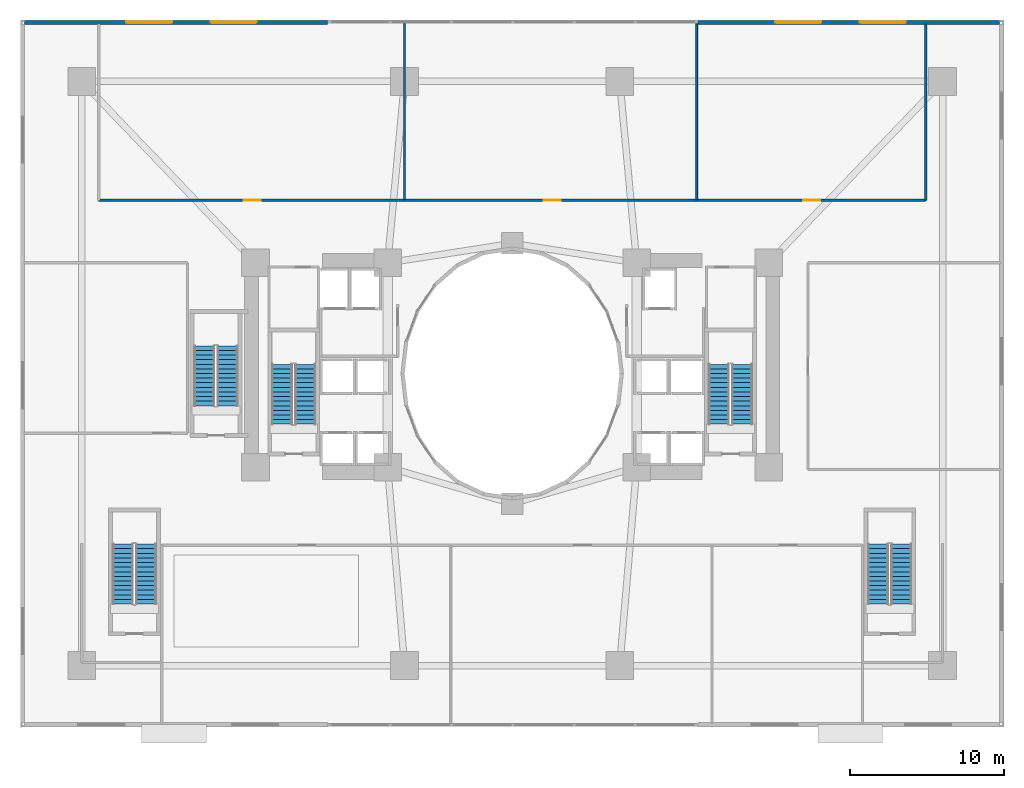
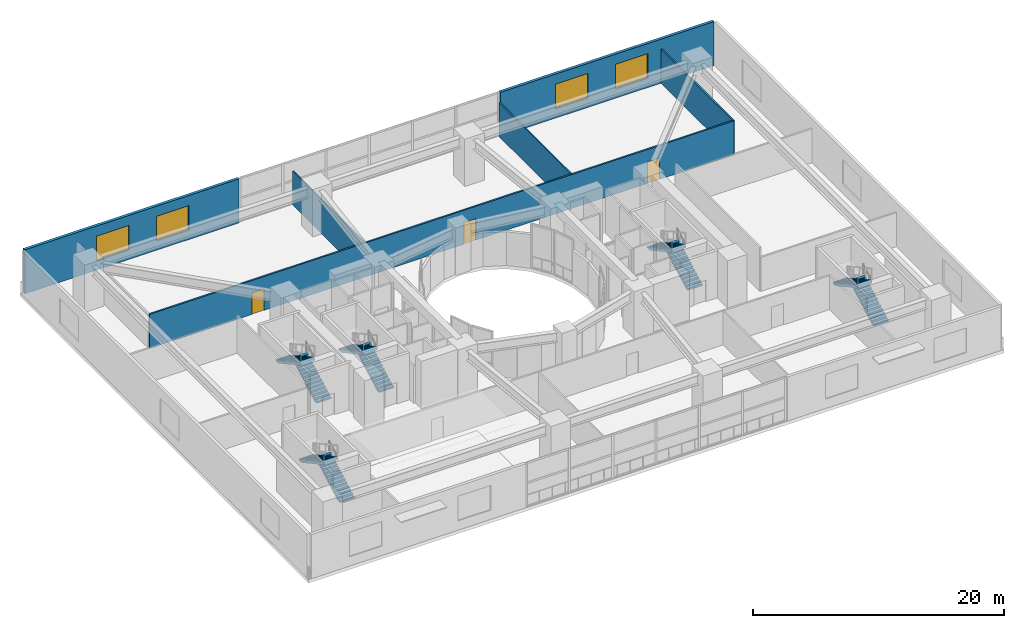
# One storey, part 18 of 25: 10 stair flights, 6 walls, 4 windows, 3 doors, 7 openings, 5 elements without a shape of their own.
"""IFC4 building model written with IfcOpenShell, lengths in metres."""

from ifc_helpers import new_model, si_unit, direction, frame, frame_2d, origin, place, context, subcontext, project, spatial, polyline, rectangle, outline, extrude, material, layer, layer_set, type_object, element, fill, aggregate, save


model = new_model("IFC4")

# Units and contexts
model_context = context("Model", 3, precision=1e-05, world=origin(), true_north=direction((0.0, 1.0)))
body_context = subcontext(model_context, "Body", "Model", "MODEL_VIEW")
ifc_project = project(units=[si_unit("LENGTHUNIT", "METRE"), si_unit("AREAUNIT", "SQUARE_METRE"), si_unit("VOLUMEUNIT", "CUBIC_METRE"), si_unit("PLANEANGLEUNIT", "RADIAN"), si_unit("MASSUNIT", "GRAM", prefix="KILO")], contexts=[model_context])

# Site, building, storey
site_placement = place(None, origin())
site = spatial("IfcSite", under=ifc_project, at=site_placement, CompositionType="ELEMENT")
building_placement = place(site_placement, origin())
building = spatial("IfcBuilding", under=site, at=building_placement, Name="Solvane Sanctuary Tower", CompositionType="ELEMENT")
storey_placement = place(building_placement, frame((0.0, 0.0, 13.800048828125)))
storey = spatial("IfcBuildingStorey", under=building, at=storey_placement, Name="L04", CompositionType="ELEMENT", Elevation=13.800048828125)

# Wall, openings, doors
ifc_material_1 = material(Name="Acoustic Gypsum Partition Board")
ifc_layer_1 = layer(ifc_material_1, 0.14990234375, Name="Acoustic Gypsum Partition Board")
ifc_layer_set_1 = layer_set([ifc_layer_1], Name="Acoustic Gypsum Partition Board")
wall_type_1 = type_object("IfcWallType", Name="Wall W-CORR-150", PredefinedType="PARTITIONING", material=ifc_layer_set_1)
wall_1_placement = place(storey_placement, frame((5.10009765625, 34.27001953125, 0.0), z_axis=(0.0, 0.0, 1.0), x_axis=(1.0, 0.0, 0.0)))
wall_1 = element("IfcWall", 1, at=wall_1_placement, inside=storey, type_object=wall_type_1, Name="L04 North Sanctuary Corridor Wall", PredefinedType="PARTITIONING", context=body_context, shape_type="SweptSolid", body=[
    extrude(rectangle(XDim=53.7998046875, YDim=0.14990234375, at=frame_2d((26.89990234375, 0.0))), origin(), (0.0, 0.0, 1.0), 3.300048828125),
])
opening_1_placement = place(wall_1_placement, frame((9.449951171875, 0.0, 0.0)))
opening_1 = element("IfcOpeningElement", 2, at=opening_1_placement, cuts=wall_1, Name="Opening D-L04-11", PredefinedType="OPENING", context=body_context, shape_type="SweptSolid", body=[
    extrude(rectangle(XDim=1.10009765625, YDim=2.10009765625, at=frame_2d((0.550048828125, 1.050048828125))), frame((0.0, 0.0849609375, 0.0), z_axis=(0.0, -1.0, 0.0), x_axis=(1.0, 0.0, 0.0)), (0.0, 0.0, 1.0), 0.169921875),
])
opening_2_placement = place(wall_1_placement, frame((28.949951171875, 0.0, 0.0)))
opening_2 = element("IfcOpeningElement", 3, at=opening_2_placement, cuts=wall_1, Name="Opening D-L04-12", PredefinedType="OPENING", context=body_context, shape_type="SweptSolid", body=[
    extrude(rectangle(XDim=1.10009765625, YDim=2.10009765625, at=frame_2d((0.550048828125, 1.050048828125))), frame((0.0, 0.0849609375, 0.0), z_axis=(0.0, -1.0, 0.0), x_axis=(1.0, 0.0, 0.0)), (0.0, 0.0, 1.0), 0.169921875),
])
opening_3_placement = place(wall_1_placement, frame((45.85009765625, 0.0, 0.0)))
opening_3 = element("IfcOpeningElement", 4, at=opening_3_placement, cuts=wall_1, Name="Opening D-L04-13", PredefinedType="OPENING", context=body_context, shape_type="SweptSolid", body=[
    extrude(rectangle(XDim=1.10009765625, YDim=2.10009765625, at=frame_2d((0.550048828125, 1.050048828125))), frame((0.0, 0.0849609375, 0.0), z_axis=(0.0, -1.0, 0.0), x_axis=(1.0, 0.0, 0.0)), (0.0, 0.0, 1.0), 0.169921875),
])
ifc_material_2 = material(Name="Architectural Stainless Steel 316", Category="steel")
door_type = type_object("IfcDoorType", Name="Door D-FFL", OperationType="NOTDEFINED", PredefinedType="DOOR", material=ifc_material_2)
door_1_placement = place(opening_1_placement, origin())
door_1 = element("IfcDoor", 5, at=door_1_placement, inside=storey, type_object=door_type, Name="L04 KIT-M Hall Door", OperationType="SINGLE_SWING_LEFT", OverallHeight=2.10009765625, OverallWidth=1.10009765625, PredefinedType="DOOR", context=body_context, shape_type="SweptSolid", body=[
    extrude(rectangle(XDim=1.10009765625, YDim=2.10009765625, at=frame_2d((0.550048828125, 1.050048828125))), frame((0.0, 0.02490234375, 0.0), z_axis=(0.0, -1.0, 0.0), x_axis=(1.0, 0.0, 0.0)), (0.0, 0.0, 1.0), 0.050048828125),
])
fill(opening_1, door_1)
door_2_placement = place(opening_2_placement, origin())
door_2 = element("IfcDoor", 6, at=door_2_placement, inside=storey, type_object=door_type, Name="L04 SERVERY Hall Door", OperationType="SINGLE_SWING_RIGHT", OverallHeight=2.10009765625, OverallWidth=1.10009765625, PredefinedType="DOOR", context=body_context, shape_type="SweptSolid", body=[
    extrude(rectangle(XDim=1.10009765625, YDim=2.10009765625, at=frame_2d((0.550048828125, 1.050048828125))), frame((0.0, 0.02490234375, 0.0), z_axis=(0.0, -1.0, 0.0), x_axis=(1.0, 0.0, 0.0)), (0.0, 0.0, 1.0), 0.050048828125),
])
fill(opening_2, door_2)
door_3_placement = place(opening_3_placement, origin())
door_3 = element("IfcDoor", 7, at=door_3_placement, inside=storey, type_object=door_type, Name="L04 COLD Hall Door", OperationType="SINGLE_SWING_LEFT", OverallHeight=2.10009765625, OverallWidth=1.10009765625, PredefinedType="DOOR", context=body_context, shape_type="SweptSolid", body=[
    extrude(rectangle(XDim=1.10009765625, YDim=2.10009765625, at=frame_2d((0.550048828125, 1.050048828125))), frame((0.0, 0.02490234375, 0.0), z_axis=(0.0, -1.0, 0.0), x_axis=(1.0, 0.0, 0.0)), (0.0, 0.0, 1.0), 0.050048828125),
])
fill(opening_3, door_3)

# Wall
wall_2_placement = place(storey_placement, frame((58.89990234375, 34.27001953125, 0.0), z_axis=(0.0, 0.0, 1.0), x_axis=(0.0, 1.0, 0.0)))
element("IfcWall", 8, at=wall_2_placement, inside=storey, type_object=wall_type_1, Name="L04 North Hall East Wall", PredefinedType="PARTITIONING", context=body_context, shape_type="SweptSolid", body=[
    extrude(rectangle(XDim=11.47998046875, YDim=0.14990234375, at=frame_2d((5.739990234375, 0.0))), origin(), (0.0, 0.0, 1.0), 3.300048828125),
])

# Wall, openings, windows
ifc_material_3 = material(Name="Precast concrete C40/50", Category="concrete")
ifc_layer_2 = layer(ifc_material_3, 0.260009765625, Name="Precast concrete C40/50")
ifc_layer_set_2 = layer_set([ifc_layer_2], Name="Precast concrete C40/50")
wall_type_2 = type_object("IfcWallType", Name="Wall W-EXT-250", PredefinedType="STANDARD", material=ifc_layer_set_2)
wall_3_placement = place(storey_placement, frame((63.719970703125, 45.85009765625, 0.0), z_axis=(0.0, 0.0, 1.0), x_axis=(-1.0, 0.0, 0.0)))
wall_3 = element("IfcWall", 9, at=wall_3_placement, inside=storey, type_object=wall_type_2, Name="L04 Podium Facade Wall N1", PredefinedType="STANDARD", context=body_context, shape_type="SweptSolid", body=[
    extrude(rectangle(XDim=19.639892578125, YDim=0.260009765625, at=frame_2d((9.81982421875, 0.0))), origin(), (0.0, 0.0, 1.0), 4.280029296875),
])
opening_4_placement = place(wall_3_placement, frame((6.10009765625, 0.0, 0.89990234375)))
opening_4 = element("IfcOpeningElement", 10, at=opening_4_placement, cuts=wall_3, Name="Opening WN-POD-3000", PredefinedType="OPENING", context=body_context, shape_type="SweptSolid", body=[
    extrude(rectangle(XDim=3.0, YDim=2.39990234375, at=frame_2d((1.5, 1.199951171875))), frame((0.0, 0.139892578125, 0.0), z_axis=(0.0, -1.0, 0.0), x_axis=(1.0, 0.0, 0.0)), (0.0, 0.0, 1.0), 0.280029296875),
])
opening_5_placement = place(wall_3_placement, frame((11.60009765625, 0.0, 0.89990234375)))
opening_5 = element("IfcOpeningElement", 11, at=opening_5_placement, cuts=wall_3, Name="Opening WN-POD-3000", PredefinedType="OPENING", context=body_context, shape_type="SweptSolid", body=[
    extrude(rectangle(XDim=3.0, YDim=2.39990234375, at=frame_2d((1.5, 1.199951171875))), frame((0.0, 0.139892578125, 0.0), z_axis=(0.0, -1.0, 0.0), x_axis=(1.0, 0.0, 0.0)), (0.0, 0.0, 1.0), 0.280029296875),
])
ifc_material_4 = material(Name="Dark Ceramic-Fritted Low-E Glass", Category="glass")
window_type = type_object("IfcWindowType", Name="Window WN-POD-3000", PartitioningType="SINGLE_PANEL", PredefinedType="WINDOW", material=ifc_material_4)
window_1_placement = place(opening_4_placement, origin())
window_1 = element("IfcWindow", 12, at=window_1_placement, inside=storey, type_object=window_type, Name="L04 Podium Window N1-6", OverallHeight=2.39990234375, OverallWidth=3.0, PartitioningType="SINGLE_PANEL", PredefinedType="WINDOW", context=body_context, shape_type="SweptSolid", body=[
    extrude(rectangle(XDim=3.0, YDim=2.39990234375, at=frame_2d((1.5, 1.199951171875))), frame((0.0, 0.030029296875, 0.0), z_axis=(0.0, -1.0, 0.0), x_axis=(1.0, 0.0, 0.0)), (0.0, 0.0, 1.0), 0.06005859375),
])
fill(opening_4, window_1)
window_2_placement = place(opening_5_placement, origin())
window_2 = element("IfcWindow", 13, at=window_2_placement, inside=storey, type_object=window_type, Name="L04 Podium Window N1-11", OverallHeight=2.39990234375, OverallWidth=3.0, PartitioningType="SINGLE_PANEL", PredefinedType="WINDOW", context=body_context, shape_type="SweptSolid", body=[
    extrude(rectangle(XDim=3.0, YDim=2.39990234375, at=frame_2d((1.5, 1.199951171875))), frame((0.0, 0.030029296875, 0.0), z_axis=(0.0, -1.0, 0.0), x_axis=(1.0, 0.0, 0.0)), (0.0, 0.0, 1.0), 0.06005859375),
])
fill(opening_5, window_2)

wall_4_placement = place(storey_placement, frame((20.0, 45.85009765625, 0.0), z_axis=(0.0, 0.0, 1.0), x_axis=(-1.0, 0.0, 0.0)))
wall_4 = element("IfcWall", 14, at=wall_4_placement, inside=storey, type_object=wall_type_2, Name="L04 Podium Facade Wall N3", PredefinedType="STANDARD", context=body_context, shape_type="SweptSolid", body=[
    extrude(rectangle(XDim=19.719970703125, YDim=0.260009765625, at=frame_2d((9.85986328125, 0.0))), origin(), (0.0, 0.0, 1.0), 4.280029296875),
])
opening_6_placement = place(wall_4_placement, frame((4.6201171875, 0.0, 0.89990234375)))
opening_6 = element("IfcOpeningElement", 15, at=opening_6_placement, cuts=wall_4, Name="Opening WN-POD-3000", PredefinedType="OPENING", context=body_context, shape_type="SweptSolid", body=[
    extrude(rectangle(XDim=3.0, YDim=2.39990234375, at=frame_2d((1.5, 1.199951171875))), frame((0.0, 0.139892578125, 0.0), z_axis=(0.0, -1.0, 0.0), x_axis=(1.0, 0.0, 0.0)), (0.0, 0.0, 1.0), 0.280029296875),
])
opening_7_placement = place(wall_4_placement, frame((10.1201171875, 0.0, 0.89990234375)))
opening_7 = element("IfcOpeningElement", 16, at=opening_7_placement, cuts=wall_4, Name="Opening WN-POD-3000", PredefinedType="OPENING", context=body_context, shape_type="SweptSolid", body=[
    extrude(rectangle(XDim=3.0, YDim=2.39990234375, at=frame_2d((1.5, 1.199951171875))), frame((0.0, 0.139892578125, 0.0), z_axis=(0.0, -1.0, 0.0), x_axis=(1.0, 0.0, 0.0)), (0.0, 0.0, 1.0), 0.280029296875),
])
window_3_placement = place(opening_6_placement, origin())
window_3 = element("IfcWindow", 17, at=window_3_placement, inside=storey, type_object=window_type, Name="L04 Podium Window N3-4", OverallHeight=2.39990234375, OverallWidth=3.0, PartitioningType="SINGLE_PANEL", PredefinedType="WINDOW", context=body_context, shape_type="SweptSolid", body=[
    extrude(rectangle(XDim=3.0, YDim=2.39990234375, at=frame_2d((1.5, 1.199951171875))), frame((0.0, 0.030029296875, 0.0), z_axis=(0.0, -1.0, 0.0), x_axis=(1.0, 0.0, 0.0)), (0.0, 0.0, 1.0), 0.06005859375),
])
fill(opening_6, window_3)
window_4_placement = place(opening_7_placement, origin())
window_4 = element("IfcWindow", 18, at=window_4_placement, inside=storey, type_object=window_type, Name="L04 Podium Window N3-10", OverallHeight=2.39990234375, OverallWidth=3.0, PartitioningType="SINGLE_PANEL", PredefinedType="WINDOW", context=body_context, shape_type="SweptSolid", body=[
    extrude(rectangle(XDim=3.0, YDim=2.39990234375, at=frame_2d((1.5, 1.199951171875))), frame((0.0, 0.030029296875, 0.0), z_axis=(0.0, -1.0, 0.0), x_axis=(1.0, 0.0, 0.0)), (0.0, 0.0, 1.0), 0.06005859375),
])
fill(opening_7, window_4)

# Walls
ifc_layer_3 = layer(ifc_material_1, 0.1201171875, Name="Acoustic Gypsum Partition Board")
ifc_layer_set_3 = layer_set([ifc_layer_3], Name="Acoustic Gypsum Partition Board")
wall_type_3 = type_object("IfcWallType", Name="Wall W-MOV-100", PredefinedType="MOVABLE", material=ifc_layer_set_3)
for number, where, z_axis, x_axis, name in (
    (19, (25.0, 34.320068359375, 0.0), (0.0, 0.0, 1.0), (0.0, 1.0, 0.0), "L04 Hall Dividing Partition KIT-M"),
    (20, (44.0, 34.320068359375, 0.0), (0.0, 0.0, 1.0), (0.0, 1.0, 0.0), "L04 Hall Dividing Partition SERVERY"),
):
    element("IfcWall", number, at=place(storey_placement, frame(where, z_axis=z_axis, x_axis=x_axis)), inside=storey, type_object=wall_type_3, Name=name, PredefinedType="MOVABLE", context=body_context, shape_type="SweptSolid", body=[
        extrude(rectangle(XDim=11.429931640625, YDim=0.1201171875, at=frame_2d((5.71484375, 0.0))), origin(), (0.0, 0.0, 1.0), 3.300048828125),
    ])

# Stair, stair flights
ifc_material_5 = material(Name="Concrete C50/60", Category="concrete")
stair_type_1 = type_object("IfcStairType", Name="Stair ST-METRO", PredefinedType="HALF_TURN_STAIR", material=ifc_material_5)
stair_1_placement = place(storey_placement, origin())
stair_1 = element("IfcStair", 21, at=stair_1_placement, inside=storey, type_object=stair_type_1, Name="L04 Exit Stair ST-5 Metro East Stair", PredefinedType="HALF_TURN_STAIR")
stair_flight_type_1 = type_object("IfcStairFlightType", Name="StairFlight SF-METRO", PredefinedType="STRAIGHT", material=ifc_material_5)
stair_flight_1_placement = place(storey_placement, frame((57.324951171875, 8.0, 0.0), z_axis=(0.0, 0.0, 1.0), x_axis=(0.0, 1.0, 0.0)))
stair_flight_1 = element("IfcStairFlight", 22, at=stair_flight_1_placement, type_object=stair_flight_type_1, Name="ST-5 flight 1", NumberOfRisers=14, NumberOfTreads=13, PredefinedType="STRAIGHT", RiserHeight=0.164285714, TreadLength=0.3, context=body_context, shape_type="SweptSolid", body=[
    extrude(outline(polyline([(0.0, 0.0), (0.0, 0.164306640625), (0.300048828125, 0.164306640625), (0.300048828125, 0.32861328125), (0.60009765625, 0.32861328125), (0.60009765625, 0.492919921875), (0.89990234375, 0.492919921875), (0.89990234375, 0.6572265625), (1.199951171875, 0.6572265625), (1.199951171875, 0.821533203125), (1.5, 0.821533203125), (1.5, 0.985595703125), (1.800048828125, 0.985595703125), (1.800048828125, 1.14990234375), (2.10009765625, 1.14990234375), (2.10009765625, 1.314208984375), (2.39990234375, 1.314208984375), (2.39990234375, 1.478515625), (2.699951171875, 1.478515625), (2.699951171875, 1.642822265625), (3.0, 1.642822265625), (3.0, 1.80712890625), (3.300048828125, 1.80712890625), (3.300048828125, 1.971435546875), (3.60009765625, 1.971435546875), (3.60009765625, 2.1357421875), (3.89990234375, 2.1357421875), (3.89990234375, 2.300048828125), (3.89990234375, 1.9306640625), (0.37451171875, 0.0), (0.0, 0.0)])), frame((0.0, 0.675048828125, 0.0), z_axis=(0.0, -1.0, 0.0), x_axis=(1.0, 0.0, 0.0)), (0.0, 0.0, 1.0), 1.35009765625),
])
stair_flight_2_placement = place(storey_placement, frame((55.81494140625, 11.89990234375, 2.300048828125), z_axis=(0.0, 0.0, 1.0), x_axis=(0.0, -1.0, 0.0)))
stair_flight_2 = element("IfcStairFlight", 23, at=stair_flight_2_placement, type_object=stair_flight_type_1, Name="ST-5 flight 2", NumberOfRisers=14, NumberOfTreads=13, PredefinedType="STRAIGHT", RiserHeight=0.164285714, TreadLength=0.3, context=body_context, shape_type="SweptSolid", body=[
    extrude(outline(polyline([(0.0, 0.0), (0.0, 0.164306640625), (0.300048828125, 0.164306640625), (0.300048828125, 0.32861328125), (0.60009765625, 0.32861328125), (0.60009765625, 0.492919921875), (0.89990234375, 0.492919921875), (0.89990234375, 0.6572265625), (1.199951171875, 0.6572265625), (1.199951171875, 0.821533203125), (1.5, 0.821533203125), (1.5, 0.985595703125), (1.800048828125, 0.985595703125), (1.800048828125, 1.14990234375), (2.10009765625, 1.14990234375), (2.10009765625, 1.314208984375), (2.39990234375, 1.314208984375), (2.39990234375, 1.478515625), (2.699951171875, 1.478515625), (2.699951171875, 1.642822265625), (3.0, 1.642822265625), (3.0, 1.80712890625), (3.300048828125, 1.80712890625), (3.300048828125, 1.971435546875), (3.60009765625, 1.971435546875), (3.60009765625, 2.1357421875), (3.89990234375, 2.1357421875), (3.89990234375, 2.300048828125), (3.89990234375, 1.9306640625), (0.37451171875, 0.0), (0.0, 0.0)])), frame((0.0, 0.675048828125, 0.0), z_axis=(0.0, -1.0, 0.0), x_axis=(1.0, 0.0, 0.0)), (0.0, 0.0, 1.0), 1.35009765625),
])
aggregate(stair_1, [stair_flight_1, stair_flight_2])

stair_type_2 = type_object("IfcStairType", Name="Stair ST-POD", PredefinedType="HALF_TURN_STAIR", material=ifc_material_5)
stair_2_placement = place(storey_placement, origin())
stair_2 = element("IfcStair", 24, at=stair_2_placement, inside=storey, type_object=stair_type_2, Name="L04 Exit Stair ST-4 Metro West Stair", PredefinedType="HALF_TURN_STAIR")
stair_flight_type_2 = type_object("IfcStairFlightType", Name="StairFlight SF-POD", PredefinedType="STRAIGHT", material=ifc_material_5)
stair_flight_3_placement = place(storey_placement, frame((8.18505859375, 8.0, 0.0), z_axis=(0.0, 0.0, 1.0), x_axis=(0.0, 1.0, 0.0)))
stair_flight_3 = element("IfcStairFlight", 25, at=stair_flight_3_placement, type_object=stair_flight_type_2, Name="ST-4 flight 1", NumberOfRisers=14, NumberOfTreads=13, PredefinedType="STRAIGHT", RiserHeight=0.164285714, TreadLength=0.3, context=body_context, shape_type="SweptSolid", body=[
    extrude(outline(polyline([(0.0, 0.0), (0.0, 0.164306640625), (0.300048828125, 0.164306640625), (0.300048828125, 0.32861328125), (0.60009765625, 0.32861328125), (0.60009765625, 0.492919921875), (0.89990234375, 0.492919921875), (0.89990234375, 0.6572265625), (1.199951171875, 0.6572265625), (1.199951171875, 0.821533203125), (1.5, 0.821533203125), (1.5, 0.985595703125), (1.800048828125, 0.985595703125), (1.800048828125, 1.14990234375), (2.10009765625, 1.14990234375), (2.10009765625, 1.314208984375), (2.39990234375, 1.314208984375), (2.39990234375, 1.478515625), (2.699951171875, 1.478515625), (2.699951171875, 1.642822265625), (3.0, 1.642822265625), (3.0, 1.80712890625), (3.300048828125, 1.80712890625), (3.300048828125, 1.971435546875), (3.60009765625, 1.971435546875), (3.60009765625, 2.1357421875), (3.89990234375, 2.1357421875), (3.89990234375, 2.300048828125), (3.89990234375, 1.9306640625), (0.37451171875, 0.0), (0.0, 0.0)])), frame((0.0, 0.675048828125, 0.0), z_axis=(0.0, -1.0, 0.0), x_axis=(1.0, 0.0, 0.0)), (0.0, 0.0, 1.0), 1.35009765625),
])
stair_flight_4_placement = place(storey_placement, frame((6.675048828125, 11.89990234375, 2.300048828125), z_axis=(0.0, 0.0, 1.0), x_axis=(0.0, -1.0, 0.0)))
stair_flight_4 = element("IfcStairFlight", 26, at=stair_flight_4_placement, type_object=stair_flight_type_2, Name="ST-4 flight 2", NumberOfRisers=14, NumberOfTreads=13, PredefinedType="STRAIGHT", RiserHeight=0.164285714, TreadLength=0.3, context=body_context, shape_type="SweptSolid", body=[
    extrude(outline(polyline([(0.0, 0.0), (0.0, 0.164306640625), (0.300048828125, 0.164306640625), (0.300048828125, 0.32861328125), (0.60009765625, 0.32861328125), (0.60009765625, 0.492919921875), (0.89990234375, 0.492919921875), (0.89990234375, 0.6572265625), (1.199951171875, 0.6572265625), (1.199951171875, 0.821533203125), (1.5, 0.821533203125), (1.5, 0.985595703125), (1.800048828125, 0.985595703125), (1.800048828125, 1.14990234375), (2.10009765625, 1.14990234375), (2.10009765625, 1.314208984375), (2.39990234375, 1.314208984375), (2.39990234375, 1.478515625), (2.699951171875, 1.478515625), (2.699951171875, 1.642822265625), (3.0, 1.642822265625), (3.0, 1.80712890625), (3.300048828125, 1.80712890625), (3.300048828125, 1.971435546875), (3.60009765625, 1.971435546875), (3.60009765625, 2.1357421875), (3.89990234375, 2.1357421875), (3.89990234375, 2.300048828125), (3.89990234375, 1.9306640625), (0.37451171875, 0.0), (0.0, 0.0)])), frame((0.0, 0.675048828125, 0.0), z_axis=(0.0, -1.0, 0.0), x_axis=(1.0, 0.0, 0.0)), (0.0, 0.0, 1.0), 1.35009765625),
])
aggregate(stair_2, [stair_flight_3, stair_flight_4])

ifc_material_6 = material(Name="Concrete C45/55", Category="concrete")
stair_type_3 = type_object("IfcStairType", Name="Stair ST-TOW", PredefinedType="HALF_TURN_STAIR", material=ifc_material_6)
stair_3_placement = place(storey_placement, origin())
stair_3 = element("IfcStair", 27, at=stair_3_placement, inside=storey, type_object=stair_type_3, Name="L04 Exit Stair ST-1 West Core", PredefinedType="HALF_TURN_STAIR")
stair_flight_type_3 = type_object("IfcStairFlightType", Name="StairFlight SF-TOW", PredefinedType="STRAIGHT", material=ifc_material_6)
stair_flight_5_placement = place(storey_placement, frame((18.544921875, 19.699951171875, 0.0), z_axis=(0.0, 0.0, 1.0), x_axis=(0.0, 1.0, 0.0)))
stair_flight_5 = element("IfcStairFlight", 28, at=stair_flight_5_placement, type_object=stair_flight_type_3, Name="ST-1 flight 1", NumberOfRisers=14, NumberOfTreads=13, PredefinedType="STRAIGHT", RiserHeight=0.164285714, TreadLength=0.3, context=body_context, shape_type="SweptSolid", body=[
    extrude(outline(polyline([(0.0, 0.0), (0.0, 0.164306640625), (0.300048828125, 0.164306640625), (0.300048828125, 0.32861328125), (0.60009765625, 0.32861328125), (0.60009765625, 0.492919921875), (0.89990234375, 0.492919921875), (0.89990234375, 0.6572265625), (1.199951171875, 0.6572265625), (1.199951171875, 0.821533203125), (1.5, 0.821533203125), (1.5, 0.985595703125), (1.800048828125, 0.985595703125), (1.800048828125, 1.14990234375), (2.10009765625, 1.14990234375), (2.10009765625, 1.314208984375), (2.39990234375, 1.314208984375), (2.39990234375, 1.478515625), (2.699951171875, 1.478515625), (2.699951171875, 1.642822265625), (3.0, 1.642822265625), (3.0, 1.80712890625), (3.300048828125, 1.80712890625), (3.300048828125, 1.971435546875), (3.60009765625, 1.971435546875), (3.60009765625, 2.1357421875), (3.89990234375, 2.1357421875), (3.89990234375, 2.300048828125), (3.89990234375, 1.9306640625), (0.37451171875, 0.0), (0.0, 0.0)])), frame((0.0, 0.675048828125, 0.0), z_axis=(0.0, -1.0, 0.0), x_axis=(1.0, 0.0, 0.0)), (0.0, 0.0, 1.0), 1.35009765625),
])
stair_flight_6_placement = place(storey_placement, frame((17.034912109375, 23.60009765625, 2.300048828125), z_axis=(0.0, 0.0, 1.0), x_axis=(0.0, -1.0, 0.0)))
stair_flight_6 = element("IfcStairFlight", 29, at=stair_flight_6_placement, type_object=stair_flight_type_3, Name="ST-1 flight 2", NumberOfRisers=14, NumberOfTreads=13, PredefinedType="STRAIGHT", RiserHeight=0.164285714, TreadLength=0.3, context=body_context, shape_type="SweptSolid", body=[
    extrude(outline(polyline([(0.0, 0.0), (0.0, 0.164306640625), (0.300048828125, 0.164306640625), (0.300048828125, 0.32861328125), (0.60009765625, 0.32861328125), (0.60009765625, 0.492919921875), (0.89990234375, 0.492919921875), (0.89990234375, 0.6572265625), (1.199951171875, 0.6572265625), (1.199951171875, 0.821533203125), (1.5, 0.821533203125), (1.5, 0.985595703125), (1.800048828125, 0.985595703125), (1.800048828125, 1.14990234375), (2.10009765625, 1.14990234375), (2.10009765625, 1.314208984375), (2.39990234375, 1.314208984375), (2.39990234375, 1.478515625), (2.699951171875, 1.478515625), (2.699951171875, 1.642822265625), (3.0, 1.642822265625), (3.0, 1.80712890625), (3.300048828125, 1.80712890625), (3.300048828125, 1.971435546875), (3.60009765625, 1.971435546875), (3.60009765625, 2.1357421875), (3.89990234375, 2.1357421875), (3.89990234375, 2.300048828125), (3.89990234375, 1.9306640625), (0.37451171875, 0.0), (0.0, 0.0)])), frame((0.0, 0.675048828125, 0.0), z_axis=(0.0, -1.0, 0.0), x_axis=(1.0, 0.0, 0.0)), (0.0, 0.0, 1.0), 1.35009765625),
])
aggregate(stair_3, [stair_flight_5, stair_flight_6])

stair_4_placement = place(storey_placement, origin())
stair_4 = element("IfcStair", 30, at=stair_4_placement, inside=storey, type_object=stair_type_3, Name="L04 Exit Stair ST-2 East Core", PredefinedType="HALF_TURN_STAIR")
stair_flight_7_placement = place(storey_placement, frame((46.965087890625, 19.699951171875, 0.0), z_axis=(0.0, 0.0, 1.0), x_axis=(0.0, 1.0, 0.0)))
stair_flight_7 = element("IfcStairFlight", 31, at=stair_flight_7_placement, type_object=stair_flight_type_3, Name="ST-2 flight 1", NumberOfRisers=14, NumberOfTreads=13, PredefinedType="STRAIGHT", RiserHeight=0.164285714, TreadLength=0.3, context=body_context, shape_type="SweptSolid", body=[
    extrude(outline(polyline([(0.0, 0.0), (0.0, 0.164306640625), (0.300048828125, 0.164306640625), (0.300048828125, 0.32861328125), (0.60009765625, 0.32861328125), (0.60009765625, 0.492919921875), (0.89990234375, 0.492919921875), (0.89990234375, 0.6572265625), (1.199951171875, 0.6572265625), (1.199951171875, 0.821533203125), (1.5, 0.821533203125), (1.5, 0.985595703125), (1.800048828125, 0.985595703125), (1.800048828125, 1.14990234375), (2.10009765625, 1.14990234375), (2.10009765625, 1.314208984375), (2.39990234375, 1.314208984375), (2.39990234375, 1.478515625), (2.699951171875, 1.478515625), (2.699951171875, 1.642822265625), (3.0, 1.642822265625), (3.0, 1.80712890625), (3.300048828125, 1.80712890625), (3.300048828125, 1.971435546875), (3.60009765625, 1.971435546875), (3.60009765625, 2.1357421875), (3.89990234375, 2.1357421875), (3.89990234375, 2.300048828125), (3.89990234375, 1.9306640625), (0.37451171875, 0.0), (0.0, 0.0)])), frame((0.0, 0.675048828125, 0.0), z_axis=(0.0, -1.0, 0.0), x_axis=(1.0, 0.0, 0.0)), (0.0, 0.0, 1.0), 1.35009765625),
])
stair_flight_8_placement = place(storey_placement, frame((45.455078125, 23.60009765625, 2.300048828125), z_axis=(0.0, 0.0, 1.0), x_axis=(0.0, -1.0, 0.0)))
stair_flight_8 = element("IfcStairFlight", 32, at=stair_flight_8_placement, type_object=stair_flight_type_3, Name="ST-2 flight 2", NumberOfRisers=14, NumberOfTreads=13, PredefinedType="STRAIGHT", RiserHeight=0.164285714, TreadLength=0.3, context=body_context, shape_type="SweptSolid", body=[
    extrude(outline(polyline([(0.0, 0.0), (0.0, 0.164306640625), (0.300048828125, 0.164306640625), (0.300048828125, 0.32861328125), (0.60009765625, 0.32861328125), (0.60009765625, 0.492919921875), (0.89990234375, 0.492919921875), (0.89990234375, 0.6572265625), (1.199951171875, 0.6572265625), (1.199951171875, 0.821533203125), (1.5, 0.821533203125), (1.5, 0.985595703125), (1.800048828125, 0.985595703125), (1.800048828125, 1.14990234375), (2.10009765625, 1.14990234375), (2.10009765625, 1.314208984375), (2.39990234375, 1.314208984375), (2.39990234375, 1.478515625), (2.699951171875, 1.478515625), (2.699951171875, 1.642822265625), (3.0, 1.642822265625), (3.0, 1.80712890625), (3.300048828125, 1.80712890625), (3.300048828125, 1.971435546875), (3.60009765625, 1.971435546875), (3.60009765625, 2.1357421875), (3.89990234375, 2.1357421875), (3.89990234375, 2.300048828125), (3.89990234375, 1.9306640625), (0.37451171875, 0.0), (0.0, 0.0)])), frame((0.0, 0.675048828125, 0.0), z_axis=(0.0, -1.0, 0.0), x_axis=(1.0, 0.0, 0.0)), (0.0, 0.0, 1.0), 1.35009765625),
])
aggregate(stair_4, [stair_flight_7, stair_flight_8])

stair_5_placement = place(storey_placement, origin())
stair_5 = element("IfcStair", 33, at=stair_5_placement, inside=storey, type_object=stair_type_3, Name="L04 Exit Stair ST-3 Pilgrim Tower Stair", PredefinedType="HALF_TURN_STAIR")
stair_flight_9_placement = place(storey_placement, frame((13.485107421875, 20.89990234375, 0.0), z_axis=(0.0, 0.0, 1.0), x_axis=(0.0, 1.0, 0.0)))
stair_flight_9 = element("IfcStairFlight", 34, at=stair_flight_9_placement, type_object=stair_flight_type_3, Name="ST-3 flight 1", NumberOfRisers=14, NumberOfTreads=13, PredefinedType="STRAIGHT", RiserHeight=0.164285714, TreadLength=0.3, context=body_context, shape_type="SweptSolid", body=[
    extrude(outline(polyline([(0.0, 0.0), (0.0, 0.164306640625), (0.300048828125, 0.164306640625), (0.300048828125, 0.32861328125), (0.60009765625, 0.32861328125), (0.60009765625, 0.492919921875), (0.89990234375, 0.492919921875), (0.89990234375, 0.6572265625), (1.199951171875, 0.6572265625), (1.199951171875, 0.821533203125), (1.5, 0.821533203125), (1.5, 0.985595703125), (1.800048828125, 0.985595703125), (1.800048828125, 1.14990234375), (2.10009765625, 1.14990234375), (2.10009765625, 1.314208984375), (2.39990234375, 1.314208984375), (2.39990234375, 1.478515625), (2.699951171875, 1.478515625), (2.699951171875, 1.642822265625), (3.0, 1.642822265625), (3.0, 1.80712890625), (3.300048828125, 1.80712890625), (3.300048828125, 1.971435546875), (3.60009765625, 1.971435546875), (3.60009765625, 2.1357421875), (3.89990234375, 2.1357421875), (3.89990234375, 2.300048828125), (3.89990234375, 1.9306640625), (0.37451171875, 0.0), (0.0, 0.0)])), frame((0.0, 0.675048828125, 0.0), z_axis=(0.0, -1.0, 0.0), x_axis=(1.0, 0.0, 0.0)), (0.0, 0.0, 1.0), 1.35009765625),
])
stair_flight_10_placement = place(storey_placement, frame((11.97509765625, 24.800048828125, 2.300048828125), z_axis=(0.0, 0.0, 1.0), x_axis=(0.0, -1.0, 0.0)))
stair_flight_10 = element("IfcStairFlight", 35, at=stair_flight_10_placement, type_object=stair_flight_type_3, Name="ST-3 flight 2", NumberOfRisers=14, NumberOfTreads=13, PredefinedType="STRAIGHT", RiserHeight=0.164285714, TreadLength=0.3, context=body_context, shape_type="SweptSolid", body=[
    extrude(outline(polyline([(0.0, 0.0), (0.0, 0.164306640625), (0.300048828125, 0.164306640625), (0.300048828125, 0.32861328125), (0.60009765625, 0.32861328125), (0.60009765625, 0.492919921875), (0.89990234375, 0.492919921875), (0.89990234375, 0.6572265625), (1.199951171875, 0.6572265625), (1.199951171875, 0.821533203125), (1.5, 0.821533203125), (1.5, 0.985595703125), (1.800048828125, 0.985595703125), (1.800048828125, 1.14990234375), (2.10009765625, 1.14990234375), (2.10009765625, 1.314208984375), (2.39990234375, 1.314208984375), (2.39990234375, 1.478515625), (2.699951171875, 1.478515625), (2.699951171875, 1.642822265625), (3.0, 1.642822265625), (3.0, 1.80712890625), (3.300048828125, 1.80712890625), (3.300048828125, 1.971435546875), (3.60009765625, 1.971435546875), (3.60009765625, 2.1357421875), (3.89990234375, 2.1357421875), (3.89990234375, 2.300048828125), (3.89990234375, 1.9306640625), (0.37451171875, 0.0), (0.0, 0.0)])), frame((0.0, 0.675048828125, 0.0), z_axis=(0.0, -1.0, 0.0), x_axis=(1.0, 0.0, 0.0)), (0.0, 0.0, 1.0), 1.35009765625),
])
aggregate(stair_5, [stair_flight_9, stair_flight_10])

save(model, "model.ifc")
